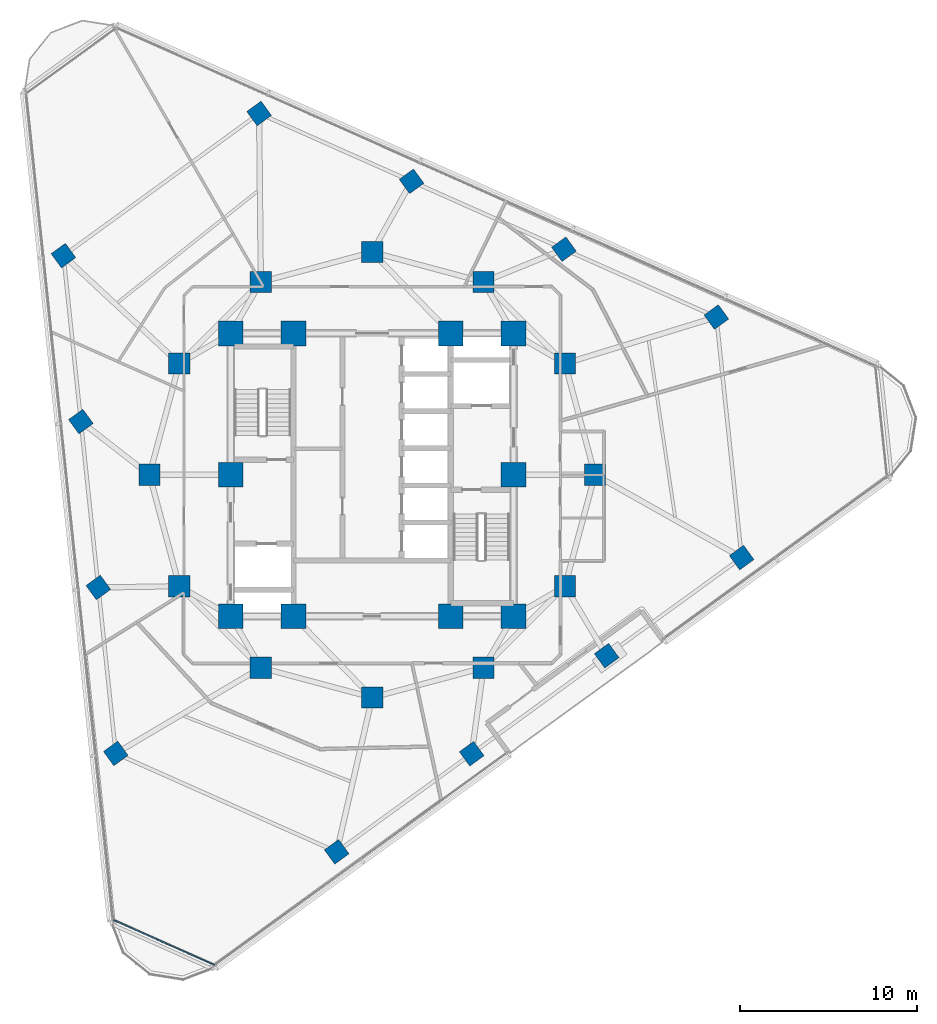
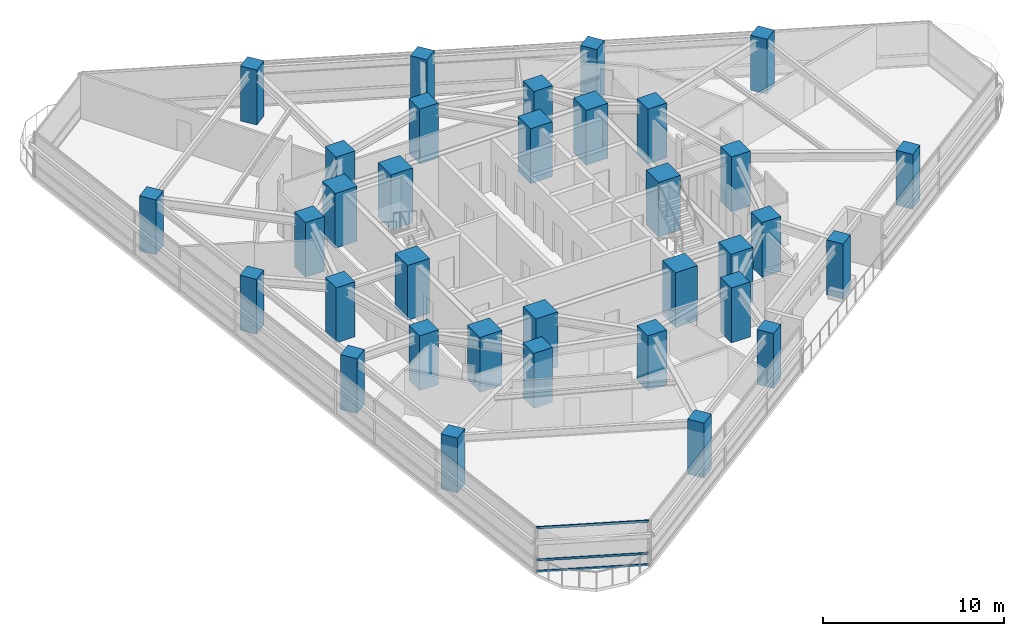
# One storey, part 1 of 14: 34 columns, 3 members, 1 element without a shape of its own.
"""IFC4 building model written with IfcOpenShell, lengths in metres."""

from ifc_helpers import new_model, si_unit, direction, frame, origin, origin_2d, place, context, subcontext, project, spatial, rectangle, extrude, material, layer, layer_set, material_profile, profile_set, type_object, element, aggregate, save


model = new_model("IFC4")

# Units and contexts
model_context = context("Model", 3, precision=1e-05, world=origin(), true_north=direction((0.0, 1.0)))
body_context = subcontext(model_context, "Body", "Model", "MODEL_VIEW")
ifc_project = project(units=[si_unit("LENGTHUNIT", "METRE"), si_unit("AREAUNIT", "SQUARE_METRE"), si_unit("VOLUMEUNIT", "CUBIC_METRE"), si_unit("PLANEANGLEUNIT", "RADIAN"), si_unit("MASSUNIT", "GRAM", prefix="KILO")], contexts=[model_context])

# Site, building, storey
site_placement = place(None, origin())
site = spatial("IfcSite", under=ifc_project, at=site_placement, CompositionType="ELEMENT")
building_placement = place(site_placement, origin())
building = spatial("IfcBuilding", under=site, at=building_placement, Name="Terralouvre Media Tower", CompositionType="ELEMENT")
storey_placement = place(building_placement, frame((0.0, 0.0, 158.300048828125)))
storey = spatial("IfcBuildingStorey", under=building, at=storey_placement, Name="L40", CompositionType="ELEMENT", Elevation=158.300048828125)

# Columns
ifc_material_1 = material(Name="Concrete C50/60", Category="concrete")
ifc_material_profile_1 = material_profile(ifc_material_1, rectangle(XDim=1.0, YDim=1.0, at=origin_2d()), Name="RC 1000x1000")
ifc_profile_set_1 = profile_set([ifc_material_profile_1], Name="Concrete C50/60")
column_type_1 = type_object("IfcColumnType", Name="Structural Column C-RC1000 (RC 1000x1000)", PredefinedType="COLUMN", material=ifc_profile_set_1)
for number, where, z_axis, x_axis, name in (
    (1, (-2.0068359375, -21.328369140625, 0.0), (0.0, 0.0, 1.0), (0.809016994375, 0.587785252292, 0.0), "L40 Perimeter Mega-Column PC11"),
    (2, (5.63037109375, -15.77978515625, 0.0), (0.0, 0.0, 1.0), (0.809016994375, 0.587785252292, 0.0), "L40 Perimeter Mega-Column PC12"),
    (3, (13.267578125, -10.23095703125, 0.0), (0.0, 0.0, 1.0), (0.809016994375, 0.587785252292, 0.0), "L40 Perimeter Mega-Column PC13"),
    (4, (20.904541015625, -4.682373046875, 0.0), (0.0, 0.0, 1.0), (0.809016994375, 0.587785252292, 0.0), "L40 Perimeter Mega-Column PC14"),
    (5, (19.474365234375, 8.92626953125, 0.0), (0.0, 0.0, 1.0), (0.809016994375, 0.587785252292, 0.0), "L40 Perimeter Mega-Column PC21"),
    (6, (10.850341796875, 12.765869140625, 0.0), (0.0, 0.0, 1.0), (0.809016994375, 0.587785252292, 0.0), "L40 Perimeter Mega-Column PC22"),
    (7, (2.2265625, 16.60546875, 0.0), (0.0, 0.0, 1.0), (0.809016994375, 0.587785252292, 0.0), "L40 Perimeter Mega-Column PC23"),
    (8, (-6.397216796875, 20.445068359375, 0.0), (0.0, 0.0, 1.0), (0.809016994375, 0.587785252292, 0.0), "L40 Perimeter Mega-Column PC24"),
    (9, (-17.467529296875, 12.402099609375, 0.0), (0.0, 0.0, 1.0), (0.809016994375, 0.587785252292, 0.0), "L40 Perimeter Mega-Column PC31"),
    (10, (-16.480712890625, 3.013916015625, 0.0), (0.0, 0.0, 1.0), (0.809016994375, 0.587785252292, 0.0), "L40 Perimeter Mega-Column PC32"),
    (11, (-15.494140625, -6.37451171875, 0.0), (0.0, 0.0, 1.0), (0.809016994375, 0.587785252292, 0.0), "L40 Perimeter Mega-Column PC33"),
    (12, (-14.50732421875, -15.7626953125, 0.0), (0.0, 0.0, 1.0), (0.809016994375, 0.587785252292, 0.0), "L40 Perimeter Mega-Column PC34"),
):
    element("IfcColumn", number, at=place(storey_placement, frame(where, z_axis=z_axis, x_axis=x_axis)), inside=storey, type_object=column_type_1, Name=name, PredefinedType="COLUMN", context=body_context, shape_type="SweptSolid", body=[
        extrude(rectangle(XDim=1.0, YDim=1.0, at=origin_2d()), origin(), (0.0, 0.0, 1.0), 3.699951171875),
    ])
ifc_material_2 = material(Name="Concrete C60/75", Category="concrete")
ifc_material_profile_2 = material_profile(ifc_material_2, rectangle(XDim=1.199951171875, YDim=1.199951171875, at=origin_2d()), Name="RC 1200x1200")
ifc_profile_set_2 = profile_set([ifc_material_profile_2], Name="Concrete C60/75")
column_type_2 = type_object("IfcColumnType", Name="Structural Column C-RC1200 (RC 1200x1200)", PredefinedType="COLUMN", material=ifc_profile_set_2)
for number, where, z_axis, x_axis, name in (
    (13, (12.60009765625, 0.0, 0.0), (0.0, 0.0, 1.0), (1.0, 0.0, 0.0), "L40 Mega-Frame Column MC01"),
    (14, (10.911865234375, 6.300048828125, 0.0), (0.0, 0.0, 1.0), (1.0, 0.0, 0.0), "L40 Mega-Frame Column MC02"),
    (15, (6.300048828125, 10.911865234375, 0.0), (0.0, 0.0, 1.0), (1.0, 0.0, 0.0), "L40 Mega-Frame Column MC03"),
    (16, (0.0, 12.60009765625, 0.0), (0.0, 0.0, 1.0), (1.0, 0.0, 0.0), "L40 Mega-Frame Column MC04"),
    (17, (-6.300048828125, 10.911865234375, 0.0), (0.0, 0.0, 1.0), (1.0, 0.0, 0.0), "L40 Mega-Frame Column MC05"),
    (18, (-10.911865234375, 6.300048828125, 0.0), (0.0, 0.0, 1.0), (1.0, 0.0, 0.0), "L40 Mega-Frame Column MC06"),
    (19, (-12.60009765625, 0.0, 0.0), (0.0, 0.0, 1.0), (1.0, 0.0, 0.0), "L40 Mega-Frame Column MC07"),
    (20, (-10.911865234375, -6.300048828125, 0.0), (0.0, 0.0, 1.0), (1.0, 0.0, 0.0), "L40 Mega-Frame Column MC08"),
    (21, (-6.300048828125, -10.911865234375, 0.0), (0.0, 0.0, 1.0), (1.0, 0.0, 0.0), "L40 Mega-Frame Column MC09"),
    (22, (0.0, -12.60009765625, 0.0), (0.0, 0.0, 1.0), (1.0, 0.0, 0.0), "L40 Mega-Frame Column MC10"),
    (23, (6.300048828125, -10.911865234375, 0.0), (0.0, 0.0, 1.0), (1.0, 0.0, 0.0), "L40 Mega-Frame Column MC11"),
    (24, (10.911865234375, -6.300048828125, 0.0), (0.0, 0.0, 1.0), (1.0, 0.0, 0.0), "L40 Mega-Frame Column MC12"),
):
    element("IfcColumn", number, at=place(storey_placement, frame(where, z_axis=z_axis, x_axis=x_axis)), inside=storey, type_object=column_type_2, Name=name, PredefinedType="COLUMN", context=body_context, shape_type="SweptSolid", body=[
        extrude(rectangle(XDim=1.199951171875, YDim=1.199951171875, at=origin_2d()), origin(), (0.0, 0.0, 1.0), 3.699951171875),
    ])
ifc_material_3 = material(Name="Concrete C60/75", Category="concrete")
ifc_material_profile_3 = material_profile(ifc_material_3, rectangle(XDim=1.39990234375, YDim=1.39990234375, at=origin_2d()), Name="RC 1400x1400")
ifc_profile_set_3 = profile_set([ifc_material_profile_3], Name="Concrete C60/75")
column_type_3 = type_object("IfcColumnType", Name="Structural Column C-RC1400 (RC 1400x1400)", PredefinedType="COLUMN", material=ifc_profile_set_3)
for number, where, z_axis, x_axis, name in (
    (25, (-8.0, -8.0, 0.0), (0.0, 0.0, 1.0), (1.0, 0.0, 0.0), "L40 Core Pilaster Column CP1"),
    (26, (-4.449951171875, -8.0, 0.0), (0.0, 0.0, 1.0), (1.0, 0.0, 0.0), "L40 Core Pilaster Column CP2"),
    (27, (4.449951171875, -8.0, 0.0), (0.0, 0.0, 1.0), (1.0, 0.0, 0.0), "L40 Core Pilaster Column CP10"),
    (28, (8.0, -8.0, 0.0), (0.0, 0.0, 1.0), (1.0, 0.0, 0.0), "L40 Core Pilaster Column CP3"),
    (29, (8.0, 0.0, 0.0), (0.0, 0.0, 1.0), (1.0, 0.0, 0.0), "L40 Core Pilaster Column CP4"),
    (30, (8.0, 8.0, 0.0), (0.0, 0.0, 1.0), (1.0, 0.0, 0.0), "L40 Core Pilaster Column CP5"),
    (31, (4.449951171875, 8.0, 0.0), (0.0, 0.0, 1.0), (1.0, 0.0, 0.0), "L40 Core Pilaster Column CP9"),
    (32, (-4.449951171875, 8.0, 0.0), (0.0, 0.0, 1.0), (1.0, 0.0, 0.0), "L40 Core Pilaster Column CP6"),
    (33, (-8.0, 8.0, 0.0), (0.0, 0.0, 1.0), (1.0, 0.0, 0.0), "L40 Core Pilaster Column CP7"),
    (34, (-8.0, 0.0, 0.0), (0.0, 0.0, 1.0), (1.0, 0.0, 0.0), "L40 Core Pilaster Column CP8"),
):
    element("IfcColumn", number, at=place(storey_placement, frame(where, z_axis=z_axis, x_axis=x_axis)), inside=storey, type_object=column_type_3, Name=name, PredefinedType="COLUMN", context=body_context, shape_type="SweptSolid", body=[
        extrude(rectangle(XDim=1.39990234375, YDim=1.39990234375, at=origin_2d()), origin(), (0.0, 0.0, 1.0), 3.699951171875),
    ])

# Curtain wall, members
ifc_material_4 = material(Name="Low-iron laminated double glazing with solar-control coating", Category="glass")
ifc_layer = layer(ifc_material_4, 0.1650390625, Name="Rounded Wind-Corner Curved Glazing CW-04")
ifc_layer_set = layer_set([ifc_layer], Name="Low-iron laminated double glazing with solar-control coating")
curtain_wall_type = type_object("IfcCurtainWallType", Name="Rounded Wind-Corner Curved Glazing CW-04", PredefinedType="NOTDEFINED", material=ifc_layer_set)
curtain_wall_placement = place(storey_placement, origin())
curtain_wall = element("IfcCurtainWall", 35, at=curtain_wall_placement, inside=storey, type_object=curtain_wall_type, Name="L40 Rounded Wind-Corner Curtain Wall C0", PredefinedType="NOTDEFINED")
ifc_material_5 = material(Name="Anodised extruded aluminium 6063-T6", Category="aluminium")
ifc_material_profile_4 = material_profile(ifc_material_5, rectangle(XDim=0.074951171875, YDim=0.14990234375, at=origin_2d()), Name="ALU 75x150")
ifc_profile_set_4 = profile_set([ifc_material_profile_4], Name="Anodised extruded aluminium 6063-T6")
member_type = type_object("IfcMemberType", Name="Curtain-Wall Horizontal Transom TR-150", PredefinedType="USERDEFINED", material=ifc_profile_set_4)
member_1_placement = place(storey_placement, frame((-14.63818359375, -25.184326171875, 0.037353515625), z_axis=(0.913542712087, -0.406742809639, 0.0), x_axis=(0.406742809639, 0.913542712087, 0.0)))
member_1 = element("IfcMember", 36, at=member_1_placement, type_object=member_type, Name="CW-04 transom 1.1", ObjectType="TRANSOM", PredefinedType="USERDEFINED", context=body_context, shape_type="SweptSolid", body=[
    extrude(rectangle(XDim=0.074951171875, YDim=0.14990234375, at=origin_2d()), origin(), (0.0, 0.0, 1.0), 6.258544921875),
])
member_2_placement = place(storey_placement, frame((-14.63818359375, -25.184326171875, 0.800048828125), z_axis=(0.913542712087, -0.406742809639, 0.0), x_axis=(0.406742809639, 0.913542712087, 0.0)))
member_2 = element("IfcMember", 37, at=member_2_placement, type_object=member_type, Name="CW-04 transom 1.2", ObjectType="TRANSOM", PredefinedType="USERDEFINED", context=body_context, shape_type="SweptSolid", body=[
    extrude(rectangle(XDim=0.074951171875, YDim=0.14990234375, at=origin_2d()), origin(), (0.0, 0.0, 1.0), 6.258544921875),
])
member_3_placement = place(storey_placement, frame((-14.63818359375, -25.184326171875, 2.96240234375), z_axis=(0.913542712087, -0.406742809639, 0.0), x_axis=(0.406742809639, 0.913542712087, 0.0)))
member_3 = element("IfcMember", 38, at=member_3_placement, type_object=member_type, Name="CW-04 transom 1.3", ObjectType="TRANSOM", PredefinedType="USERDEFINED", context=body_context, shape_type="SweptSolid", body=[
    extrude(rectangle(XDim=0.074951171875, YDim=0.14990234375, at=origin_2d()), origin(), (0.0, 0.0, 1.0), 6.258544921875),
])
aggregate(curtain_wall, [member_1, member_2, member_3])

save(model, "model.ifc")
